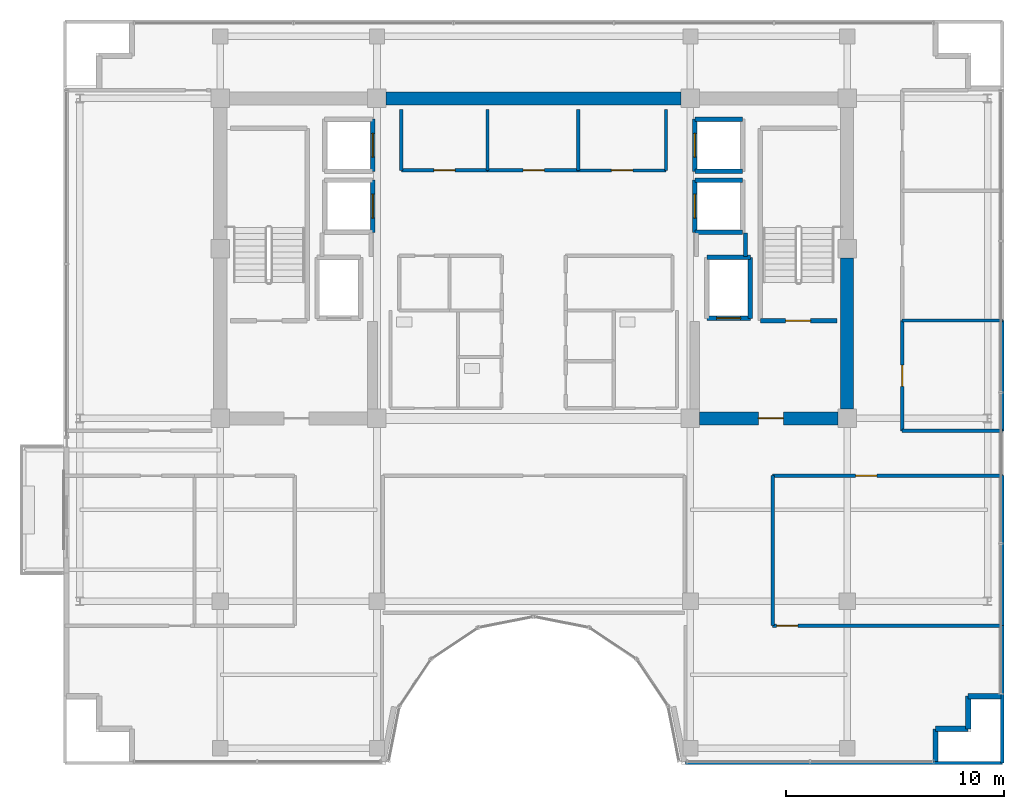
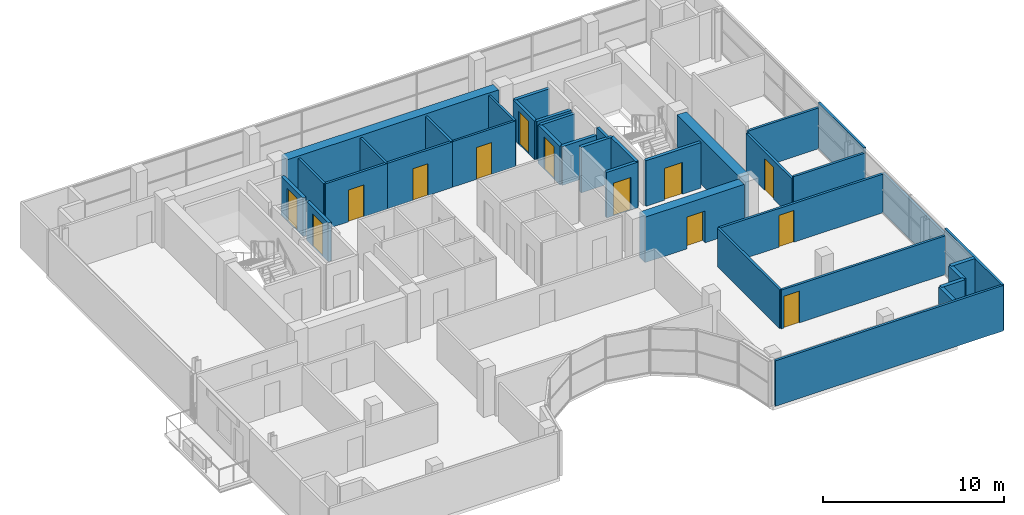
# One storey, part 24 of 28: 37 walls, 13 doors, 13 openings.
"""IFC4 building model written with IfcOpenShell, lengths in metres."""

import ifcopenshell
import ifcopenshell.guid

model = None  # the IFC model being written
_history = None  # IfcOwnerHistory: only IFC2X3 demands one
_inside = {}  # id of a spatial element -> (the spatial element, [elements in it])
_under = {}  # id of a project, library or spatial element -> (it, [spatial elements below it])
_declared = {}  # id of a project -> (the project, [libraries it declares])
_typed = {}  # id of a type object -> (the type object, [elements of that type])
_made_of = {}  # id of a material, layer set ... -> (it, [elements and type objects made of it])


def new_model(schema):
    """Start an empty IFC model of exactly this schema.

    Asked for "IFC4X3", IfcOpenShell would pick the latest addendum, in which some entities
    have other attributes; the version numbers below select the first issue.
    IFC2X3 requires an IfcOwnerHistory on every rooted entity: one is made here for all.
    """
    global model, _history
    if schema == "IFC4X3":
        model = ifcopenshell.file(schema_version=(4, 3, 0, 0))
    else:
        model = ifcopenshell.file(schema=schema)
    _inside.clear()
    _under.clear()
    _declared.clear()
    _typed.clear()
    _made_of.clear()
    _history = None
    if model.schema == "IFC2X3":
        org = make("IfcOrganization", Name="unknown")
        user = make(
            "IfcPersonAndOrganization",
            ThePerson=make("IfcPerson", FamilyName="unknown"),
            TheOrganization=org,
        )
        app = make(
            "IfcApplication",
            ApplicationDeveloper=org,
            Version="unknown",
            ApplicationFullName="unknown",
            ApplicationIdentifier="unknown",
        )
        _history = make(
            "IfcOwnerHistory",
            OwningUser=user,
            OwningApplication=app,
            ChangeAction="ADDED",
            CreationDate=0,
        )
    return model


def make(cls, **values):
    """One entity of the class cls with the attributes given. An attribute that is None is left unset."""
    return model.create_entity(
        cls, **{name: value for name, value in values.items() if value is not None}
    )


def rooted(cls, **values):
    """An entity with a GlobalId (a new one), such as an element, a storey or a relation."""
    return make(cls, GlobalId=ifcopenshell.guid.new(), OwnerHistory=_history, **values)


def si_unit(unit_type, name, prefix=None):
    """IfcSIUnit, for example si_unit("LENGTHUNIT", "METRE", prefix="MILLI")."""
    return make("IfcSIUnit", UnitType=unit_type, Prefix=prefix, Name=name)


def assignment(units):
    """IfcUnitAssignment: the units of a project."""
    return None if units is None else make("IfcUnitAssignment", Units=units)


def point(xyz):
    """IfcCartesianPoint."""
    return None if xyz is None else make("IfcCartesianPoint", Coordinates=xyz)


def direction(xyz):
    """IfcDirection."""
    return None if xyz is None else make("IfcDirection", DirectionRatios=xyz)


def frame(location, z_axis=None, x_axis=None):
    """IfcAxis2Placement3D, a coordinate frame: its origin and axes. An axis left out is left unset."""
    return make(
        "IfcAxis2Placement3D",
        Location=point(location),
        Axis=direction(z_axis),
        RefDirection=direction(x_axis),
    )


def frame_2d(location, x_axis=None):
    """IfcAxis2Placement2D, a coordinate frame in the plane: its origin and x axis."""
    return make(
        "IfcAxis2Placement2D", Location=point(location), RefDirection=direction(x_axis)
    )


def origin():
    """The frame at (0, 0, 0) with its axes left unset."""
    return frame((0.0, 0.0, 0.0))


def place(relative_to, where):
    """IfcLocalPlacement: puts the frame where relative to a parent placement (None: the world)."""
    return make(
        "IfcLocalPlacement", PlacementRelTo=relative_to, RelativePlacement=where
    )


def context(
    kind, dimensions, precision=None, world=None, true_north=None, identifier=None
):
    """IfcGeometricRepresentationContext, for example the 3D "Model" context."""
    return make(
        "IfcGeometricRepresentationContext",
        ContextIdentifier=identifier,
        ContextType=kind,
        CoordinateSpaceDimension=dimensions,
        Precision=precision,
        WorldCoordinateSystem=world,
        TrueNorth=true_north,
    )


def subcontext(parent, identifier, kind, view, scale=None):
    """IfcGeometricRepresentationSubContext, for example "Body" below "Model"."""
    return make(
        "IfcGeometricRepresentationSubContext",
        ContextIdentifier=identifier,
        ContextType=kind,
        ParentContext=parent,
        TargetScale=scale,
        TargetView=view,
    )


def project(units=None, contexts=None):
    """IfcProject with its units and contexts."""
    return rooted(
        "IfcProject",
        Name="project",
        RepresentationContexts=contexts,
        UnitsInContext=assignment(units),
    )


def spatial(cls, under=None, at=None, **own):
    """A site, building, storey or space (cls), placed at a placement, below another one or the project."""
    s = rooted(cls, ObjectPlacement=at, **own)
    if under is not None:
        _under.setdefault(under.id(), (under, []))[1].append(s)
    return s


def profile(cls, at=None, kind="AREA", **sizes):
    """A parametric profile (cls). Its sizes go by their IFC names, for example OverallWidth=200.0."""
    return make(cls, ProfileType=kind, Position=at, **sizes)


def rectangle(**sizes):
    """IfcRectangleProfileDef."""
    return profile("IfcRectangleProfileDef", **sizes)


def extrude(swept, where, along, depth):
    """IfcExtrudedAreaSolid: the profile swept, set in the frame where, extruded along a direction by depth."""
    return make(
        "IfcExtrudedAreaSolid",
        SweptArea=swept,
        Position=where,
        ExtrudedDirection=direction(along),
        Depth=depth,
    )


def shape(context_of_items, identifier, shape_type, items):
    """IfcShapeRepresentation: the items that make up one representation, for example the "Body"."""
    return make(
        "IfcShapeRepresentation",
        ContextOfItems=context_of_items,
        RepresentationIdentifier=identifier,
        RepresentationType=shape_type,
        Items=items,
    )


def source(mapping_origin, context_of_items, identifier, shape_type, items):
    """IfcRepresentationMap: a shape defined once, which mapped items show again and again."""
    return make(
        "IfcRepresentationMap",
        MappingOrigin=mapping_origin,
        MappedRepresentation=shape(context_of_items, identifier, shape_type, items),
    )


def transform(
    local_origin,
    x_axis=None,
    y_axis=None,
    z_axis=None,
    scale=None,
    scale2=None,
    scale3=None,
    uniform=True,
):
    """IfcCartesianTransformationOperator3D, or its non-uniform kind. x_axis, y_axis, z_axis: its Axis1, 2, 3."""
    if uniform:
        return make(
            "IfcCartesianTransformationOperator3D",
            Axis1=direction(x_axis),
            Axis2=direction(y_axis),
            LocalOrigin=point(local_origin),
            Scale=scale,
            Axis3=direction(z_axis),
        )
    return make(
        "IfcCartesianTransformationOperator3DnonUniform",
        Axis1=direction(x_axis),
        Axis2=direction(y_axis),
        LocalOrigin=point(local_origin),
        Scale=scale,
        Axis3=direction(z_axis),
        Scale2=scale2,
        Scale3=scale3,
    )


def mapped(mapping_source, mapping_target):
    """IfcMappedItem: shows the shape of a source again, moved by a transform."""
    return make(
        "IfcMappedItem", MappingSource=mapping_source, MappingTarget=mapping_target
    )


def material(Name=None, Category=None):
    """IfcMaterial."""
    return make("IfcMaterial", Name=Name, Category=Category)


def layer(
    of_material, thickness, ventilated=None, Name=None, Category=None, Priority=None
):
    """IfcMaterialLayer: one layer of a wall or slab, of a material (None: an air gap)."""
    return make(
        "IfcMaterialLayer",
        Material=of_material,
        LayerThickness=thickness,
        IsVentilated=ventilated,
        Name=Name,
        Category=Category,
        Priority=Priority,
    )


def layer_set(layers, Name=None):
    """IfcMaterialLayerSet."""
    return make("IfcMaterialLayerSet", MaterialLayers=layers, LayerSetName=Name)


def made_of(thing, what):
    """Note that an element or type object is made of a material, layer set ...; save() writes the relation."""
    if what is not None:
        _made_of.setdefault(what.id(), (what, []))[1].append(thing)
    return thing


def type_object(cls, material=None, **own):
    """A type object (cls), such as IfcWallType, which elements share."""
    return made_of(rooted(cls, **own), material)


def element(
    cls,
    number,
    at=None,
    inside=None,
    cuts=None,
    type_object=None,
    material=None,
    context=None,
    identifier="Body",
    shape_type=None,
    held_by="IfcProductDefinitionShape",
    body=None,
    shapes=None,
    **own,
):
    """One element of the class cls, such as IfcWall. Its Tag is "e" and its number.

    at: its placement. inside: the storey or other place that contains it. cuts: it is an
    opening in that element (IfcRelVoidsElement). A single representation is given by context,
    identifier, shape_type and body (its items); several are given by shapes. held_by: the class
    of the entity that holds the representations. save() writes the other relations.
    """
    e = rooted(cls, Tag="e%d" % number, ObjectPlacement=at, **own)
    if body is not None:
        shapes = [shape(context, identifier, shape_type, body)]
    if shapes is not None:
        e.Representation = make(held_by, Representations=shapes)
    if inside is not None:
        _inside.setdefault(inside.id(), (inside, []))[1].append(e)
    if cuts is not None:
        rooted(
            "IfcRelVoidsElement", RelatingBuildingElement=cuts, RelatedOpeningElement=e
        )
    if type_object is not None:
        _typed.setdefault(type_object.id(), (type_object, []))[1].append(e)
    return made_of(e, material)


def fill(opening, filler):
    """IfcRelFillsElement: the door or window that sits in an opening."""
    return rooted(
        "IfcRelFillsElement",
        RelatingOpeningElement=opening,
        RelatedBuildingElement=filler,
    )


def aggregate(whole, parts):
    """IfcRelAggregates: a whole, such as a stair, and the parts it consists of."""
    return rooted("IfcRelAggregates", RelatingObject=whole, RelatedObjects=parts)


def save(model, path):
    """Write the relations noted so far, then the file.

    IfcRelAggregates (storeys below a building ...), IfcRelContainedInSpatialStructure (elements
    in a storey), IfcRelDefinesByType, IfcRelAssociatesMaterial and IfcRelDeclares: one each for
    every whole, place, type object, material and project.
    """
    for whole, parts in _under.values():
        aggregate(whole, parts)
    for where, things in _inside.values():
        rooted(
            "IfcRelContainedInSpatialStructure",
            RelatedElements=things,
            RelatingStructure=where,
        )
    for kind, things in _typed.values():
        rooted("IfcRelDefinesByType", RelatedObjects=things, RelatingType=kind)
    for what, things in _made_of.values():
        rooted("IfcRelAssociatesMaterial", RelatedObjects=things, RelatingMaterial=what)
    for by, libraries in _declared.values():
        rooted("IfcRelDeclares", RelatingContext=by, RelatedDefinitions=libraries)
    model.write(path)


model = new_model("IFC4")

# Units and contexts
model_context = context("Model", 3, precision=1e-05, world=origin(), true_north=direction((0.0, 1.0)))
body_context = subcontext(model_context, "Body", "Model", "MODEL_VIEW")
ifc_project = project(units=[si_unit("LENGTHUNIT", "METRE"), si_unit("AREAUNIT", "SQUARE_METRE"), si_unit("VOLUMEUNIT", "CUBIC_METRE"), si_unit("PLANEANGLEUNIT", "RADIAN"), si_unit("MASSUNIT", "GRAM", prefix="KILO")], contexts=[model_context])

# Site, building, storey
site_placement = place(None, origin())
site = spatial("IfcSite", under=ifc_project, at=site_placement, CompositionType="ELEMENT")
building_placement = place(site_placement, origin())
building = spatial("IfcBuilding", under=site, at=building_placement, Name="Zarnakvel Exchange Tower", CompositionType="ELEMENT")
storey_placement = place(building_placement, frame((0.0, 0.0, 261.699951171875)))
storey = spatial("IfcBuildingStorey", under=building, at=storey_placement, Name="L74", CompositionType="ELEMENT", Elevation=261.699951171875)

# Walls
ifc_material_1 = material(Name="Concrete C50/60", Category="concrete")
ifc_layer_1 = layer(ifc_material_1, 0.60009765625)
ifc_layer_set_1 = layer_set([ifc_layer_1], Name="Concrete C50/60")
wall_type_1 = type_object("IfcWallType", Name="CW-C5", PredefinedType="SHEAR", material=ifc_layer_set_1)
wall_1_placement = place(storey_placement, frame((-6.77490234375, 13.5, 0.0), z_axis=(0.0, 0.0, 1.0), x_axis=(1.0, 0.0, 0.0)))
element("IfcWall", 1, at=wall_1_placement, inside=storey, type_object=wall_type_1, Name="L74 Rear Core Shear Wall N2 (CW-C5)", PredefinedType="SHEAR", context=body_context, shape_type="SweptSolid", body=[
    extrude(rectangle(XDim=13.5498046875, YDim=0.60009765625, at=frame_2d((6.77490234375, 0.0))), origin(), (0.0, 0.0, 1.0), 3.074951171875),
])
wall_2_placement = place(storey_placement, frame((14.39990234375, -0.77490234375, 0.0), z_axis=(0.0, 0.0, 1.0), x_axis=(0.0, 1.0, 0.0)))
element("IfcWall", 2, at=wall_2_placement, inside=storey, type_object=wall_type_1, Name="L74 Rear Core Shear Wall E1 (CW-C5)", PredefinedType="SHEAR", context=body_context, shape_type="SweptSolid", body=[
    extrude(rectangle(XDim=6.949951171875, YDim=0.60009765625, at=frame_2d((3.47509765625, 0.0))), origin(), (0.0, 0.0, 1.0), 3.074951171875),
])

# Wall, opening, door
wall_3_placement = place(storey_placement, frame((13.97509765625, -1.199951171875, 0.0), z_axis=(0.0, 0.0, 1.0), x_axis=(-1.0, 0.0, 0.0)))
wall_3 = element("IfcWall", 3, at=wall_3_placement, inside=storey, type_object=wall_type_1, Name="L74 Rear Core Shear Wall SE (CW-C5)", PredefinedType="SHEAR", context=body_context, shape_type="SweptSolid", body=[
    extrude(rectangle(XDim=6.35009765625, YDim=0.60009765625, at=frame_2d((3.175048828125, 0.0))), origin(), (0.0, 0.0, 1.0), 3.074951171875),
])
opening_1_placement = place(wall_3_placement, frame((2.5, 0.0, 0.0)))
opening_1 = element("IfcOpeningElement", 4, at=opening_1_placement, cuts=wall_3, Name="Opening D-L74-04", PredefinedType="OPENING", context=body_context, shape_type="SweptSolid", body=[
    extrude(rectangle(XDim=1.14990234375, YDim=2.14990234375, at=frame_2d((0.574951171875, 1.074951171875))), frame((0.0, 0.31005859375, 0.0), z_axis=(0.0, -1.0, 0.0), x_axis=(1.0, 0.0, 0.0)), (0.0, 0.0, 1.0), 0.6201171875),
])
ifc_material_2 = material(Name="Painted Galvanised Steel S355", Category="steel")
door_type_1 = type_object("IfcDoorType", Name="DT-04", OperationType="NOTDEFINED", PredefinedType="DOOR", material=ifc_material_2)
shared_shape_1 = source(origin(), body_context, "Body", "SweptSolid", [
    extrude(rectangle(XDim=1.14990234375, YDim=2.14990234375, at=frame_2d((0.574951171875, 1.074951171875))), frame((0.0, 0.02490234375, 0.0), z_axis=(0.0, -1.0, 0.0), x_axis=(1.0, 0.0, 0.0)), (0.0, 0.0, 1.0), 0.050048828125),
])
door_1_placement = place(opening_1_placement, origin())
door_1 = element("IfcDoor", 5, at=door_1_placement, inside=storey, type_object=door_type_1, Name="L74 Firefighting Lobby East Door D-L74-04", OperationType="SINGLE_SWING_LEFT", OverallHeight=2.14990234375, OverallWidth=1.14990234375, PredefinedType="DOOR", context=body_context, shape_type="MappedRepresentation", body=[
    mapped(shared_shape_1, transform((0.0, 0.0, 0.0), x_axis=(1.0, 0.0, 0.0), y_axis=(0.0, 1.0, 0.0), z_axis=(0.0, 0.0, 1.0), scale=1.0)),
])
fill(opening_1, door_1)

# Walls
ifc_material_3 = material(Name="Precast concrete C40/50", Category="concrete")
ifc_layer_2 = layer(ifc_material_3, 0.239990234375)
ifc_layer_set_2 = layer_set([ifc_layer_2], Name="Precast concrete C40/50")
wall_type_2 = type_object("IfcWallType", Name="EW-02", PredefinedType="SOLIDWALL", material=ifc_layer_set_2)
for number, where, z_axis, x_axis, name in (
    (6, (19.9599609375, -13.9599609375, 0.0), (0.0, 0.0, 1.0), (1.0, 0.0, 0.0), "L74 Exterior Precast Spandrel Wall EWC-L74-11 (EW-02)"),
    (7, (19.9599609375, -15.4599609375, 0.0), (0.0, 0.0, 1.0), (0.0, 1.0, 0.0), "L74 Exterior Precast Spandrel Wall EWC-L74-12 (EW-02)"),
    (8, (18.4599609375, -15.4599609375, 0.0), (0.0, 0.0, 1.0), (1.0, 0.0, 0.0), "L74 Exterior Precast Spandrel Wall EWC-L74-13 (EW-02)"),
    (9, (18.4599609375, -16.9599609375, 0.0), (0.0, 0.0, 1.0), (0.0, 1.0, 0.0), "L74 Exterior Precast Spandrel Wall EWC-L74-14 (EW-02)"),
):
    element("IfcWall", number, at=place(storey_placement, frame(where, z_axis=z_axis, x_axis=x_axis)), inside=storey, type_object=wall_type_2, Name=name, PredefinedType="SOLIDWALL", context=body_context, shape_type="SweptSolid", body=[
        extrude(rectangle(XDim=1.5, YDim=0.239990234375, at=frame_2d((0.75, 0.0))), origin(), (0.0, 0.0, 1.0), 3.074951171875),
    ])

# Wall, opening, door
ifc_material_4 = material(Name="Fire-Rated Gypsum Stud Partition", Category="gypsum")
ifc_layer_3 = layer(ifc_material_4, 0.14990234375)
ifc_layer_set_3 = layer_set([ifc_layer_3], Name="Fire-Rated Gypsum Stud Partition")
wall_type_3 = type_object("IfcWallType", Name="PT-01", PredefinedType="PARTITIONING", material=ifc_layer_set_3)
wall_4_placement = place(storey_placement, frame((-2.1201171875, 10.199951171875, 0.0), z_axis=(0.0, 0.0, 1.0), x_axis=(-1.0, 0.0, 0.0)))
wall_4 = element("IfcWall", 10, at=wall_4_placement, inside=storey, type_object=wall_type_3, Name="L74 Partition Wall PWALL-L74-011 (PT-01)", PredefinedType="PARTITIONING", context=body_context, shape_type="SweptSolid", body=[
    extrude(rectangle(XDim=3.9599609375, YDim=0.14990234375, at=frame_2d((1.97998046875, 0.0))), origin(), (0.0, 0.0, 1.0), 3.074951171875),
])
opening_2_placement = place(wall_4_placement, frame((1.489990234375, 0.0, 0.0)))
opening_2 = element("IfcOpeningElement", 11, at=opening_2_placement, cuts=wall_4, Name="Opening D-L74-05", PredefinedType="OPENING", context=body_context, shape_type="SweptSolid", body=[
    extrude(rectangle(XDim=0.97998046875, YDim=2.14990234375, at=frame_2d((0.489990234375, 1.074951171875))), frame((0.0, 0.0849609375, 0.0), z_axis=(0.0, -1.0, 0.0), x_axis=(1.0, 0.0, 0.0)), (0.0, 0.0, 1.0), 0.169921875),
])
ifc_material_5 = material(Name="Timber Acoustic Veneer", Category="wood")
door_type_2 = type_object("IfcDoorType", Name="DT-05", OperationType="NOTDEFINED", PredefinedType="DOOR", material=ifc_material_5)
shared_shape_2 = source(origin(), body_context, "Body", "SweptSolid", [
    extrude(rectangle(XDim=0.97998046875, YDim=2.14990234375, at=frame_2d((0.489990234375, 1.074951171875))), frame((0.0, 0.02490234375, 0.0), z_axis=(0.0, -1.0, 0.0), x_axis=(1.0, 0.0, 0.0)), (0.0, 0.0, 1.0), 0.050048828125),
])
door_2_placement = place(opening_2_placement, origin())
door_2 = element("IfcDoor", 12, at=door_2_placement, inside=storey, type_object=door_type_2, Name="L74 Clearing Records Office Door D-L74-05", OperationType="SINGLE_SWING_RIGHT", OverallHeight=2.14990234375, OverallWidth=0.97998046875, PredefinedType="DOOR", context=body_context, shape_type="MappedRepresentation", body=[
    mapped(shared_shape_2, transform((0.0, 0.0, 0.0), x_axis=(1.0, 0.0, 0.0), y_axis=(0.0, 1.0, 0.0), z_axis=(0.0, 0.0, 1.0), scale=1.0)),
])
fill(opening_2, door_2)

# Walls
for number, where, z_axis, x_axis, name in (
    (13, (-6.080078125, 10.199951171875, 0.0), (0.0, 0.0, 1.0), (0.0, 1.0, 0.0), "L74 Partition Wall PWALL-L74-012 (PT-01)"),
    (14, (-2.1201171875, 13.0, 0.0), (0.0, 0.0, 1.0), (0.0, -1.0, 0.0), "L74 Partition Wall PWALL-L74-013 (PT-01)"),
):
    element("IfcWall", number, at=place(storey_placement, frame(where, z_axis=z_axis, x_axis=x_axis)), inside=storey, type_object=wall_type_3, Name=name, PredefinedType="PARTITIONING", context=body_context, shape_type="SweptSolid", body=[
        extrude(rectangle(XDim=2.800048828125, YDim=0.14990234375, at=frame_2d((1.39990234375, 0.0))), origin(), (0.0, 0.0, 1.0), 3.074951171875),
    ])

# Wall, opening, door
wall_5_placement = place(storey_placement, frame((2.0400390625, 10.199951171875, 0.0), z_axis=(0.0, 0.0, 1.0), x_axis=(-1.0, 0.0, 0.0)))
wall_5 = element("IfcWall", 15, at=wall_5_placement, inside=storey, type_object=wall_type_3, Name="L74 Partition Wall PWALL-L74-014 (PT-01)", PredefinedType="PARTITIONING", context=body_context, shape_type="SweptSolid", body=[
    extrude(rectangle(XDim=4.16015625, YDim=0.14990234375, at=frame_2d((2.080078125, 0.0))), origin(), (0.0, 0.0, 1.0), 3.074951171875),
])
opening_3_placement = place(wall_5_placement, frame((1.550048828125, 0.0, 0.0)))
opening_3 = element("IfcOpeningElement", 16, at=opening_3_placement, cuts=wall_5, Name="Opening D-L74-06", PredefinedType="OPENING", context=body_context, shape_type="SweptSolid", body=[
    extrude(rectangle(XDim=0.97998046875, YDim=2.14990234375, at=frame_2d((0.489990234375, 1.074951171875))), frame((0.0, 0.0849609375, 0.0), z_axis=(0.0, -1.0, 0.0), x_axis=(1.0, 0.0, 0.0)), (0.0, 0.0, 1.0), 0.169921875),
])
door_3_placement = place(opening_3_placement, origin())
door_3 = element("IfcDoor", 17, at=door_3_placement, inside=storey, type_object=door_type_2, Name="L74 Brokerage Filing Room Door D-L74-06", OperationType="SINGLE_SWING_LEFT", OverallHeight=2.14990234375, OverallWidth=0.97998046875, PredefinedType="DOOR", context=body_context, shape_type="MappedRepresentation", body=[
    mapped(shared_shape_2, transform((0.0, 0.0, 0.0), x_axis=(1.0, 0.0, 0.0), y_axis=(0.0, 1.0, 0.0), z_axis=(0.0, 0.0, 1.0), scale=1.0)),
])
fill(opening_3, door_3)

# Wall
wall_6_placement = place(storey_placement, frame((2.0400390625, 13.0, 0.0), z_axis=(0.0, 0.0, 1.0), x_axis=(0.0, -1.0, 0.0)))
element("IfcWall", 18, at=wall_6_placement, inside=storey, type_object=wall_type_3, Name="L74 Partition Wall PWALL-L74-015 (PT-01)", PredefinedType="PARTITIONING", context=body_context, shape_type="SweptSolid", body=[
    extrude(rectangle(XDim=2.800048828125, YDim=0.14990234375, at=frame_2d((1.39990234375, 0.0))), origin(), (0.0, 0.0, 1.0), 3.074951171875),
])

# Wall, opening, door
wall_7_placement = place(storey_placement, frame((21.530029296875, -10.719970703125, 0.0), z_axis=(0.0, 0.0, 1.0), x_axis=(-1.0, 0.0, 0.0)))
wall_7 = element("IfcWall", 19, at=wall_7_placement, inside=storey, type_object=wall_type_3, Name="L74 Partition Wall PWALL-L74-054 (PT-01)", PredefinedType="PARTITIONING", context=body_context, shape_type="SweptSolid", body=[
    extrude(rectangle(XDim=10.550048828125, YDim=0.14990234375, at=frame_2d((5.27490234375, 0.0))), origin(), (0.0, 0.0, 1.0), 2.614990234375),
])
opening_4_placement = place(wall_7_placement, frame((9.389892578125, 0.0, 0.0)))
opening_4 = element("IfcOpeningElement", 20, at=opening_4_placement, cuts=wall_7, Name="Opening D-L74-21", PredefinedType="OPENING", context=body_context, shape_type="SweptSolid", body=[
    extrude(rectangle(XDim=0.97998046875, YDim=2.14990234375, at=frame_2d((0.489990234375, 1.074951171875))), frame((0.0, 0.0849609375, 0.0), z_axis=(0.0, -1.0, 0.0), x_axis=(1.0, 0.0, 0.0)), (0.0, 0.0, 1.0), 0.169921875),
])
door_4_placement = place(opening_4_placement, origin())
door_4 = element("IfcDoor", 21, at=door_4_placement, inside=storey, type_object=door_type_2, Name="L74 Clearing Office Door D-L74-21", OperationType="SINGLE_SWING_RIGHT", OverallHeight=2.14990234375, OverallWidth=0.97998046875, PredefinedType="DOOR", context=body_context, shape_type="MappedRepresentation", body=[
    mapped(shared_shape_2, transform((0.0, 0.0, 0.0), x_axis=(1.0, 0.0, 0.0), y_axis=(0.0, 1.0, 0.0), z_axis=(0.0, 0.0, 1.0), scale=1.0)),
])
fill(opening_4, door_4)

wall_8_placement = place(storey_placement, frame((10.97998046875, -3.830078125, 0.0), z_axis=(0.0, 0.0, 1.0), x_axis=(1.0, 0.0, 0.0)))
wall_8 = element("IfcWall", 22, at=wall_8_placement, inside=storey, type_object=wall_type_3, Name="L74 Partition Wall PWALL-L74-055 (PT-01)", PredefinedType="PARTITIONING", context=body_context, shape_type="SweptSolid", body=[
    extrude(rectangle(XDim=10.550048828125, YDim=0.14990234375, at=frame_2d((5.27490234375, 0.0))), origin(), (0.0, 0.0, 1.0), 2.614990234375),
])
opening_5_placement = place(wall_8_placement, frame((3.81005859375, 0.0, 0.0)))
opening_5 = element("IfcOpeningElement", 23, at=opening_5_placement, cuts=wall_8, Name="Opening D-L74-20", PredefinedType="OPENING", context=body_context, shape_type="SweptSolid", body=[
    extrude(rectangle(XDim=0.97998046875, YDim=2.14990234375, at=frame_2d((0.489990234375, 1.074951171875))), frame((0.0, 0.0849609375, 0.0), z_axis=(0.0, -1.0, 0.0), x_axis=(1.0, 0.0, 0.0)), (0.0, 0.0, 1.0), 0.169921875),
])
door_5_placement = place(opening_5_placement, origin())
door_5 = element("IfcDoor", 24, at=door_5_placement, inside=storey, type_object=door_type_2, Name="L74 Executive Office Door D-L74-20", OperationType="SINGLE_SWING_LEFT", OverallHeight=2.14990234375, OverallWidth=0.97998046875, PredefinedType="DOOR", context=body_context, shape_type="MappedRepresentation", body=[
    mapped(shared_shape_2, transform((0.0, 0.0, 0.0), x_axis=(1.0, 0.0, 0.0), y_axis=(0.0, 1.0, 0.0), z_axis=(0.0, 0.0, 1.0), scale=1.0)),
])
fill(opening_5, door_5)

# Walls
wall_9_placement = place(storey_placement, frame((10.97998046875, -10.719970703125, 0.0), z_axis=(0.0, 0.0, 1.0), x_axis=(0.0, 1.0, 0.0)))
element("IfcWall", 25, at=wall_9_placement, inside=storey, type_object=wall_type_3, Name="L74 Partition Wall PWALL-L74-056 (PT-01)", PredefinedType="PARTITIONING", context=body_context, shape_type="SweptSolid", body=[
    extrude(rectangle(XDim=6.889892578125, YDim=0.14990234375, at=frame_2d((3.44482421875, 0.0))), origin(), (0.0, 0.0, 1.0), 2.614990234375),
])
wall_10_placement = place(storey_placement, frame((21.530029296875, -3.830078125, 0.0), z_axis=(0.0, 0.0, 1.0), x_axis=(0.0, -1.0, 0.0)))
element("IfcWall", 26, at=wall_10_placement, inside=storey, type_object=wall_type_3, Name="L74 Partition Wall PWALL-L74-057 (PT-01)", PredefinedType="PARTITIONING", context=body_context, shape_type="SweptSolid", body=[
    extrude(rectangle(XDim=6.889892578125, YDim=0.14990234375, at=frame_2d((3.44482421875, 0.0))), origin(), (0.0, 0.0, 1.0), 2.6650390625),
])
wall_11_placement = place(storey_placement, frame((21.530029296875, -17.030029296875, 0.0), z_axis=(0.0, 0.0, 1.0), x_axis=(-1.0, 0.0, 0.0)))
element("IfcWall", 27, at=wall_11_placement, inside=storey, type_object=wall_type_3, Name="L74 Partition Wall PWALL-L74-058 (PT-01)", PredefinedType="PARTITIONING", context=body_context, shape_type="SweptSolid", body=[
    extrude(rectangle(XDim=14.56005859375, YDim=0.14990234375, at=frame_2d((7.280029296875, 0.0))), origin(), (0.0, 0.0, 1.0), 3.074951171875),
])
wall_12_placement = place(storey_placement, frame((21.530029296875, -10.719970703125, 0.0), z_axis=(0.0, 0.0, 1.0), x_axis=(0.0, -1.0, 0.0)))
element("IfcWall", 28, at=wall_12_placement, inside=storey, type_object=wall_type_3, Name="L74 Partition Wall PWALL-L74-060 (PT-01)", PredefinedType="PARTITIONING", context=body_context, shape_type="SweptSolid", body=[
    extrude(rectangle(XDim=6.31005859375, YDim=0.14990234375, at=frame_2d((3.155029296875, 0.0))), origin(), (0.0, 0.0, 1.0), 3.074951171875),
])
for number, where, z_axis, x_axis, name in (
    (29, (21.530029296875, -1.77001953125, 0.0), (0.0, 0.0, 1.0), (-1.0, 0.0, 0.0), "L74 Partition Wall PWALL-L74-068 (PT-01)"),
    (30, (16.929931640625, 3.2978515625, 0.0), (0.0, 0.0, 1.0), (1.0, 0.0, 0.0), "L74 Partition Wall PWALL-L74-069 (PT-01)"),
):
    element("IfcWall", number, at=place(storey_placement, frame(where, z_axis=z_axis, x_axis=x_axis)), inside=storey, type_object=wall_type_3, Name=name, PredefinedType="PARTITIONING", context=body_context, shape_type="SweptSolid", body=[
        extrude(rectangle(XDim=4.60009765625, YDim=0.14990234375, at=frame_2d((2.300048828125, 0.0))), origin(), (0.0, 0.0, 1.0), 2.76513671875),
    ])

# Wall, opening, door
wall_13_placement = place(storey_placement, frame((16.929931640625, -1.77001953125, 0.0), z_axis=(0.0, 0.0, 1.0), x_axis=(0.0, 1.0, 0.0)))
wall_13 = element("IfcWall", 31, at=wall_13_placement, inside=storey, type_object=wall_type_3, Name="L74 Partition Wall PWALL-L74-070 (PT-01)", PredefinedType="PARTITIONING", context=body_context, shape_type="SweptSolid", body=[
    extrude(rectangle(XDim=5.06787109375, YDim=0.14990234375, at=frame_2d((2.533935546875, 0.0))), origin(), (0.0, 0.0, 1.0), 2.614990234375),
])
opening_6_placement = place(wall_13_placement, frame((2.0439453125, 0.0, 0.0)))
opening_6 = element("IfcOpeningElement", 32, at=opening_6_placement, cuts=wall_13, Name="Opening D-L74-24", PredefinedType="OPENING", context=body_context, shape_type="SweptSolid", body=[
    extrude(rectangle(XDim=0.97998046875, YDim=2.14990234375, at=frame_2d((0.489990234375, 1.074951171875))), frame((0.0, 0.0849609375, 0.0), z_axis=(0.0, -1.0, 0.0), x_axis=(1.0, 0.0, 0.0)), (0.0, 0.0, 1.0), 0.169921875),
])
door_6_placement = place(opening_6_placement, origin())
door_6 = element("IfcDoor", 33, at=door_6_placement, inside=storey, type_object=door_type_2, Name="L74 Breakout Pantry Door D-L74-24", OperationType="SINGLE_SWING_LEFT", OverallHeight=2.14990234375, OverallWidth=0.97998046875, PredefinedType="DOOR", context=body_context, shape_type="MappedRepresentation", body=[
    mapped(shared_shape_2, transform((0.0, 0.0, 0.0), x_axis=(1.0, 0.0, 0.0), y_axis=(0.0, 1.0, 0.0), z_axis=(0.0, 0.0, 1.0), scale=1.0)),
])
fill(opening_6, door_6)

# Walls
wall_14_placement = place(storey_placement, frame((21.530029296875, 3.2978515625, 0.0), z_axis=(0.0, 0.0, 1.0), x_axis=(0.0, -1.0, 0.0)))
element("IfcWall", 34, at=wall_14_placement, inside=storey, type_object=wall_type_3, Name="L74 Partition Wall PWALL-L74-071 (PT-01)", PredefinedType="PARTITIONING", context=body_context, shape_type="SweptSolid", body=[
    extrude(rectangle(XDim=5.06787109375, YDim=0.14990234375, at=frame_2d((2.533935546875, 0.0))), origin(), (0.0, 0.0, 1.0), 3.074951171875),
])
ifc_layer_4 = layer(ifc_material_4, 0.179931640625)
ifc_layer_set_4 = layer_set([ifc_layer_4], Name="Fire-Rated Gypsum Stud Partition")
wall_type_4 = type_object("IfcWallType", Name="PT-02", PredefinedType="PARTITIONING", material=ifc_layer_set_4)
wall_15_placement = place(storey_placement, frame((9.72998046875, 7.330078125, 0.0), z_axis=(0.0, 0.0, 1.0), x_axis=(0.0, -1.0, 0.0)))
element("IfcWall", 35, at=wall_15_placement, inside=storey, type_object=wall_type_4, Name="L74 Partition Wall PWALL-L74-010 (PT-02)", PredefinedType="PARTITIONING", context=body_context, shape_type="SweptSolid", body=[
    extrude(rectangle(XDim=1.090087890625, YDim=0.179931640625, at=frame_2d((0.544921875, 0.0))), origin(), (0.0, 0.0, 1.0), 3.074951171875),
])

# Wall, opening, door
ifc_material_6 = material(Name="Moisture-Resistant Tile-Faced Partition", Category="gypsum")
ifc_layer_5 = layer(ifc_material_6, 0.135009765625)
ifc_layer_set_5 = layer_set([ifc_layer_5], Name="Moisture-Resistant Tile-Faced Partition")
wall_type_5 = type_object("IfcWallType", Name="PT-03", PredefinedType="PARTITIONING", material=ifc_layer_set_5)
wall_16_placement = place(storey_placement, frame((6.080078125, 10.199951171875, 0.0), z_axis=(0.0, 0.0, 1.0), x_axis=(-1.0, 0.0, 0.0)))
wall_16 = element("IfcWall", 36, at=wall_16_placement, inside=storey, type_object=wall_type_5, Name="L74 Partition Wall PWALL-L74-016 (PT-03)", PredefinedType="PARTITIONING", context=body_context, shape_type="SweptSolid", body=[
    extrude(rectangle(XDim=4.0400390625, YDim=0.135009765625, at=frame_2d((2.02001953125, 0.0))), origin(), (0.0, 0.0, 1.0), 3.074951171875),
])
opening_7_placement = place(wall_16_placement, frame((1.530029296875, 0.0, 0.0)))
opening_7 = element("IfcOpeningElement", 37, at=opening_7_placement, cuts=wall_16, Name="Opening D-L74-07", PredefinedType="OPENING", context=body_context, shape_type="SweptSolid", body=[
    extrude(rectangle(XDim=0.97998046875, YDim=2.14990234375, at=frame_2d((0.489990234375, 1.074951171875))), frame((0.0, 0.077392578125, 0.0), z_axis=(0.0, -1.0, 0.0), x_axis=(1.0, 0.0, 0.0)), (0.0, 0.0, 1.0), 0.155029296875),
])
door_7_placement = place(opening_7_placement, origin())
door_7 = element("IfcDoor", 38, at=door_7_placement, inside=storey, type_object=door_type_2, Name="L74 Executive Tea Pantry Door D-L74-07", OperationType="SINGLE_SWING_RIGHT", OverallHeight=2.14990234375, OverallWidth=0.97998046875, PredefinedType="DOOR", context=body_context, shape_type="MappedRepresentation", body=[
    mapped(shared_shape_2, transform((0.0, 0.0, 0.0), x_axis=(1.0, 0.0, 0.0), y_axis=(0.0, 1.0, 0.0), z_axis=(0.0, 0.0, 1.0), scale=1.0)),
])
fill(opening_7, door_7)

# Wall
wall_17_placement = place(storey_placement, frame((6.080078125, 13.0, 0.0), z_axis=(0.0, 0.0, 1.0), x_axis=(0.0, -1.0, 0.0)))
element("IfcWall", 39, at=wall_17_placement, inside=storey, type_object=wall_type_5, Name="L74 Partition Wall PWALL-L74-017 (PT-03)", PredefinedType="PARTITIONING", context=body_context, shape_type="SweptSolid", body=[
    extrude(rectangle(XDim=2.800048828125, YDim=0.135009765625, at=frame_2d((1.39990234375, 0.0))), origin(), (0.0, 0.0, 1.0), 3.074951171875),
])

# Wall, opening, door
ifc_material_7 = material(Name="Concrete C40/50", Category="concrete")
ifc_layer_6 = layer(ifc_material_7, 0.199951171875)
ifc_layer_set_6 = layer_set([ifc_layer_6], Name="Concrete C40/50")
wall_type_6 = type_object("IfcWallType", Name="SW-01", PredefinedType="SOLIDWALL", material=ifc_layer_set_6)
wall_18_placement = place(storey_placement, frame((9.949951171875, 3.39990234375, 0.0), z_axis=(0.0, 0.0, 1.0), x_axis=(-1.0, 0.0, 0.0)))
wall_18 = element("IfcWall", 40, at=wall_18_placement, inside=storey, type_object=wall_type_6, Name="L74 FL-02 Hoistway Wall South", PredefinedType="SOLIDWALL", context=body_context, shape_type="SweptSolid", body=[
    extrude(rectangle(XDim=2.0, YDim=0.199951171875, at=frame_2d((1.0, 0.0))), origin(), (0.0, 0.0, 1.0), 3.074951171875),
])
opening_8_placement = place(wall_18_placement, frame((0.449951171875, 0.0, 0.0)))
opening_8 = element("IfcOpeningElement", 41, at=opening_8_placement, cuts=wall_18, Name="Opening LD-FL-02-L74", PredefinedType="OPENING", context=body_context, shape_type="SweptSolid", body=[
    extrude(rectangle(XDim=1.10009765625, YDim=2.199951171875, at=frame_2d((0.550048828125, 1.10009765625))), frame((0.0, 0.10986328125, 0.0), z_axis=(0.0, -1.0, 0.0), x_axis=(1.0, 0.0, 0.0)), (0.0, 0.0, 1.0), 0.219970703125),
])
ifc_material_8 = material(Name="Brushed Stainless Steel", Category="steel")
door_type_3 = type_object("IfcDoorType", Name="LDT-01", OperationType="NOTDEFINED", PredefinedType="DOOR", material=ifc_material_8)
shared_shape_3 = source(origin(), body_context, "Body", "SweptSolid", [
    extrude(rectangle(XDim=1.10009765625, YDim=2.199951171875, at=frame_2d((0.550048828125, 1.10009765625))), frame((0.0, 0.02490234375, 0.0), z_axis=(0.0, -1.0, 0.0), x_axis=(1.0, 0.0, 0.0)), (0.0, 0.0, 1.0), 0.050048828125),
])
door_8_placement = place(opening_8_placement, origin())
door_8 = element("IfcDoor", 42, at=door_8_placement, inside=storey, type_object=door_type_3, Name="L74 FL-02 Lift Landing Door LD-FL-02-L74", OperationType="DOUBLE_DOOR_SLIDING", OverallHeight=2.199951171875, OverallWidth=1.10009765625, PredefinedType="DOOR", context=body_context, shape_type="MappedRepresentation", body=[
    mapped(shared_shape_3, transform((0.0, 0.0, 0.0), x_axis=(1.0, 0.0, 0.0), y_axis=(0.0, 1.0, 0.0), z_axis=(0.0, 0.0, 1.0), scale=1.0)),
])
fill(opening_8, door_8)

# Walls
wall_19_placement = place(storey_placement, frame((7.949951171875, 6.199951171875, 0.0), z_axis=(0.0, 0.0, 1.0), x_axis=(1.0, 0.0, 0.0)))
element("IfcWall", 43, at=wall_19_placement, inside=storey, type_object=wall_type_6, Name="L74 FL-02 Hoistway Wall North", PredefinedType="SOLIDWALL", context=body_context, shape_type="SweptSolid", body=[
    extrude(rectangle(XDim=2.0, YDim=0.199951171875, at=frame_2d((1.0, 0.0))), origin(), (0.0, 0.0, 1.0), 3.074951171875),
])
wall_20_placement = place(storey_placement, frame((9.949951171875, 6.199951171875, 0.0), z_axis=(0.0, 0.0, 1.0), x_axis=(0.0, -1.0, 0.0)))
element("IfcWall", 44, at=wall_20_placement, inside=storey, type_object=wall_type_6, Name="L74 FL-02 Hoistway Wall East", PredefinedType="SOLIDWALL", context=body_context, shape_type="SweptSolid", body=[
    extrude(rectangle(XDim=2.800048828125, YDim=0.199951171875, at=frame_2d((1.39990234375, 0.0))), origin(), (0.0, 0.0, 1.0), 3.074951171875),
])

# Wall, opening, door
wall_21_placement = place(storey_placement, frame((-7.39990234375, 9.75, 0.0), z_axis=(0.0, 0.0, 1.0), x_axis=(0.0, -1.0, 0.0)))
wall_21 = element("IfcWall", 45, at=wall_21_placement, inside=storey, type_object=wall_type_6, Name="L74 PL-09 Hoistway Wall East", PredefinedType="SOLIDWALL", context=body_context, shape_type="SweptSolid", body=[
    extrude(rectangle(XDim=2.39990234375, YDim=0.199951171875, at=frame_2d((1.199951171875, 0.0))), origin(), (0.0, 0.0, 1.0), 2.614990234375),
])
opening_9_placement = place(wall_21_placement, frame((0.64990234375, 0.0, 0.0)))
opening_9 = element("IfcOpeningElement", 46, at=opening_9_placement, cuts=wall_21, Name="Opening LD-PL-09-L74", PredefinedType="OPENING", context=body_context, shape_type="SweptSolid", body=[
    extrude(rectangle(XDim=1.10009765625, YDim=2.199951171875, at=frame_2d((0.550048828125, 1.10009765625))), frame((0.0, 0.10986328125, 0.0), z_axis=(0.0, -1.0, 0.0), x_axis=(1.0, 0.0, 0.0)), (0.0, 0.0, 1.0), 0.219970703125),
])
ifc_material_9 = material(Name="Architectural Bronze Anodised Aluminium", Category="aluminium")
door_type_4 = type_object("IfcDoorType", Name="LDT-02", OperationType="NOTDEFINED", PredefinedType="DOOR", material=ifc_material_9)
door_9_placement = place(opening_9_placement, origin())
door_9 = element("IfcDoor", 47, at=door_9_placement, inside=storey, type_object=door_type_4, Name="L74 PL-09 Lift Landing Door LD-PL-09-L74", OperationType="DOUBLE_DOOR_SLIDING", OverallHeight=2.199951171875, OverallWidth=1.10009765625, PredefinedType="DOOR", context=body_context, shape_type="MappedRepresentation", body=[
    mapped(shared_shape_3, transform((0.0, 0.0, 0.0), x_axis=(1.0, 0.0, 0.0), y_axis=(0.0, 1.0, 0.0), z_axis=(0.0, 0.0, 1.0), scale=1.0)),
])
fill(opening_9, door_9)

wall_22_placement = place(storey_placement, frame((-7.39990234375, 12.550048828125, 0.0), z_axis=(0.0, 0.0, 1.0), x_axis=(0.0, -1.0, 0.0)))
wall_22 = element("IfcWall", 48, at=wall_22_placement, inside=storey, type_object=wall_type_6, Name="L74 PL-10 Hoistway Wall East", PredefinedType="SOLIDWALL", context=body_context, shape_type="SweptSolid", body=[
    extrude(rectangle(XDim=2.400146484375, YDim=0.199951171875, at=frame_2d((1.2001953125, 0.0))), origin(), (0.0, 0.0, 1.0), 2.614990234375),
])
opening_10_placement = place(wall_22_placement, frame((0.64990234375, 0.0, 0.0)))
opening_10 = element("IfcOpeningElement", 49, at=opening_10_placement, cuts=wall_22, Name="Opening LD-PL-10-L74", PredefinedType="OPENING", context=body_context, shape_type="SweptSolid", body=[
    extrude(rectangle(XDim=1.10009765625, YDim=2.199951171875, at=frame_2d((0.550048828125, 1.10009765625))), frame((0.0, 0.10986328125, 0.0), z_axis=(0.0, -1.0, 0.0), x_axis=(1.0, 0.0, 0.0)), (0.0, 0.0, 1.0), 0.219970703125),
])
door_10_placement = place(opening_10_placement, origin())
door_10 = element("IfcDoor", 50, at=door_10_placement, inside=storey, type_object=door_type_4, Name="L74 PL-10 Lift Landing Door LD-PL-10-L74", OperationType="DOUBLE_DOOR_SLIDING", OverallHeight=2.199951171875, OverallWidth=1.10009765625, PredefinedType="DOOR", context=body_context, shape_type="MappedRepresentation", body=[
    mapped(shared_shape_3, transform((0.0, 0.0, 0.0), x_axis=(1.0, 0.0, 0.0), y_axis=(0.0, 1.0, 0.0), z_axis=(0.0, 0.0, 1.0), scale=1.0)),
])
fill(opening_10, door_10)

# Walls
for number, where, z_axis, x_axis, name in (
    (51, (9.60009765625, 7.35009765625, 0.0), (0.0, 0.0, 1.0), (-1.0, 0.0, 0.0), "L74 PL-11 Hoistway Wall South"),
    (52, (7.39990234375, 9.75, 0.0), (0.0, 0.0, 1.0), (1.0, 0.0, 0.0), "L74 PL-11 Hoistway Wall North"),
):
    element("IfcWall", number, at=place(storey_placement, frame(where, z_axis=z_axis, x_axis=x_axis)), inside=storey, type_object=wall_type_6, Name=name, PredefinedType="SOLIDWALL", context=body_context, shape_type="SweptSolid", body=[
        extrude(rectangle(XDim=2.2001953125, YDim=0.199951171875, at=frame_2d((1.10009765625, 0.0))), origin(), (0.0, 0.0, 1.0), 2.614990234375),
    ])

# Wall, opening, door
wall_23_placement = place(storey_placement, frame((7.39990234375, 7.35009765625, 0.0), z_axis=(0.0, 0.0, 1.0), x_axis=(0.0, 1.0, 0.0)))
wall_23 = element("IfcWall", 53, at=wall_23_placement, inside=storey, type_object=wall_type_6, Name="L74 PL-11 Hoistway Wall West", PredefinedType="SOLIDWALL", context=body_context, shape_type="SweptSolid", body=[
    extrude(rectangle(XDim=2.39990234375, YDim=0.199951171875, at=frame_2d((1.199951171875, 0.0))), origin(), (0.0, 0.0, 1.0), 2.614990234375),
])
opening_11_placement = place(wall_23_placement, frame((0.64990234375, 0.0, 0.0)))
opening_11 = element("IfcOpeningElement", 54, at=opening_11_placement, cuts=wall_23, Name="Opening LD-PL-11-L74", PredefinedType="OPENING", context=body_context, shape_type="SweptSolid", body=[
    extrude(rectangle(XDim=1.10009765625, YDim=2.199951171875, at=frame_2d((0.550048828125, 1.10009765625))), frame((0.0, 0.10986328125, 0.0), z_axis=(0.0, -1.0, 0.0), x_axis=(1.0, 0.0, 0.0)), (0.0, 0.0, 1.0), 0.219970703125),
])
door_11_placement = place(opening_11_placement, origin())
door_11 = element("IfcDoor", 55, at=door_11_placement, inside=storey, type_object=door_type_4, Name="L74 PL-11 Lift Landing Door LD-PL-11-L74", OperationType="DOUBLE_DOOR_SLIDING", OverallHeight=2.199951171875, OverallWidth=1.10009765625, PredefinedType="DOOR", context=body_context, shape_type="MappedRepresentation", body=[
    mapped(shared_shape_3, transform((0.0, 0.0, 0.0), x_axis=(1.0, 0.0, 0.0), y_axis=(0.0, 1.0, 0.0), z_axis=(0.0, 0.0, 1.0), scale=1.0)),
])
fill(opening_11, door_11)

# Walls
for number, where, z_axis, x_axis, name in (
    (56, (9.60009765625, 10.14990234375, 0.0), (0.0, 0.0, 1.0), (-1.0, 0.0, 0.0), "L74 PL-12 Hoistway Wall South"),
    (57, (7.39990234375, 12.550048828125, 0.0), (0.0, 0.0, 1.0), (1.0, 0.0, 0.0), "L74 PL-12 Hoistway Wall North"),
):
    element("IfcWall", number, at=place(storey_placement, frame(where, z_axis=z_axis, x_axis=x_axis)), inside=storey, type_object=wall_type_6, Name=name, PredefinedType="SOLIDWALL", context=body_context, shape_type="SweptSolid", body=[
        extrude(rectangle(XDim=2.2001953125, YDim=0.199951171875, at=frame_2d((1.10009765625, 0.0))), origin(), (0.0, 0.0, 1.0), 2.614990234375),
    ])

# Wall, opening, door
wall_24_placement = place(storey_placement, frame((7.39990234375, 10.14990234375, 0.0), z_axis=(0.0, 0.0, 1.0), x_axis=(0.0, 1.0, 0.0)))
wall_24 = element("IfcWall", 58, at=wall_24_placement, inside=storey, type_object=wall_type_6, Name="L74 PL-12 Hoistway Wall West", PredefinedType="SOLIDWALL", context=body_context, shape_type="SweptSolid", body=[
    extrude(rectangle(XDim=2.400146484375, YDim=0.199951171875, at=frame_2d((1.2001953125, 0.0))), origin(), (0.0, 0.0, 1.0), 2.614990234375),
])
opening_12_placement = place(wall_24_placement, frame((0.64990234375, 0.0, 0.0)))
opening_12 = element("IfcOpeningElement", 59, at=opening_12_placement, cuts=wall_24, Name="Opening LD-PL-12-L74", PredefinedType="OPENING", context=body_context, shape_type="SweptSolid", body=[
    extrude(rectangle(XDim=1.10009765625, YDim=2.199951171875, at=frame_2d((0.550048828125, 1.10009765625))), frame((0.0, 0.10986328125, 0.0), z_axis=(0.0, -1.0, 0.0), x_axis=(1.0, 0.0, 0.0)), (0.0, 0.0, 1.0), 0.219970703125),
])
door_12_placement = place(opening_12_placement, origin())
door_12 = element("IfcDoor", 60, at=door_12_placement, inside=storey, type_object=door_type_4, Name="L74 PL-12 Lift Landing Door LD-PL-12-L74", OperationType="DOUBLE_DOOR_SLIDING", OverallHeight=2.199951171875, OverallWidth=1.10009765625, PredefinedType="DOOR", context=body_context, shape_type="MappedRepresentation", body=[
    mapped(shared_shape_3, transform((0.0, 0.0, 0.0), x_axis=(1.0, 0.0, 0.0), y_axis=(0.0, 1.0, 0.0), z_axis=(0.0, 0.0, 1.0), scale=1.0)),
])
fill(opening_12, door_12)

ifc_layer_7 = layer(ifc_material_7, 0.199951171875)
ifc_layer_set_7 = layer_set([ifc_layer_7], Name="Concrete C40/50")
wall_type_7 = type_object("IfcWallType", Name="SW-02", PredefinedType="SOLIDWALL", material=ifc_layer_set_7)
wall_25_placement = place(storey_placement, frame((13.929931640625, 3.2900390625, 0.0), z_axis=(0.0, 0.0, 1.0), x_axis=(-1.0, 0.0, 0.0)))
wall_25 = element("IfcWall", 61, at=wall_25_placement, inside=storey, type_object=wall_type_7, Name="L74 Stairwell Core Wall PWALL-L74-004 (SW-02)", PredefinedType="SOLIDWALL", context=body_context, shape_type="SweptSolid", body=[
    extrude(rectangle(XDim=3.52001953125, YDim=0.199951171875, at=frame_2d((1.760009765625, 0.0))), origin(), (0.0, 0.0, 1.0), 3.074951171875),
])
opening_13_placement = place(wall_25_placement, frame((1.205078125, 0.0, 0.0)))
opening_13 = element("IfcOpeningElement", 62, at=opening_13_placement, cuts=wall_25, Name="Opening D-L74-02", PredefinedType="OPENING", context=body_context, shape_type="SweptSolid", body=[
    extrude(rectangle(XDim=1.14990234375, YDim=2.14990234375, at=frame_2d((0.574951171875, 1.074951171875))), frame((0.0, 0.10986328125, 0.0), z_axis=(0.0, -1.0, 0.0), x_axis=(1.0, 0.0, 0.0)), (0.0, 0.0, 1.0), 0.219970703125),
])
door_13_placement = place(opening_13_placement, origin())
door_13 = element("IfcDoor", 63, at=door_13_placement, inside=storey, type_object=door_type_1, Name="L74 Stairwell ST-02 Door D-L74-02", OperationType="SINGLE_SWING_LEFT", OverallHeight=2.14990234375, OverallWidth=1.14990234375, PredefinedType="DOOR", context=body_context, shape_type="MappedRepresentation", body=[
    mapped(shared_shape_1, transform((0.0, 0.0, 0.0), x_axis=(1.0, 0.0, 0.0), y_axis=(0.0, 1.0, 0.0), z_axis=(0.0, 0.0, 1.0), scale=1.0)),
])
fill(opening_13, door_13)

save(model, "model.ifc")
